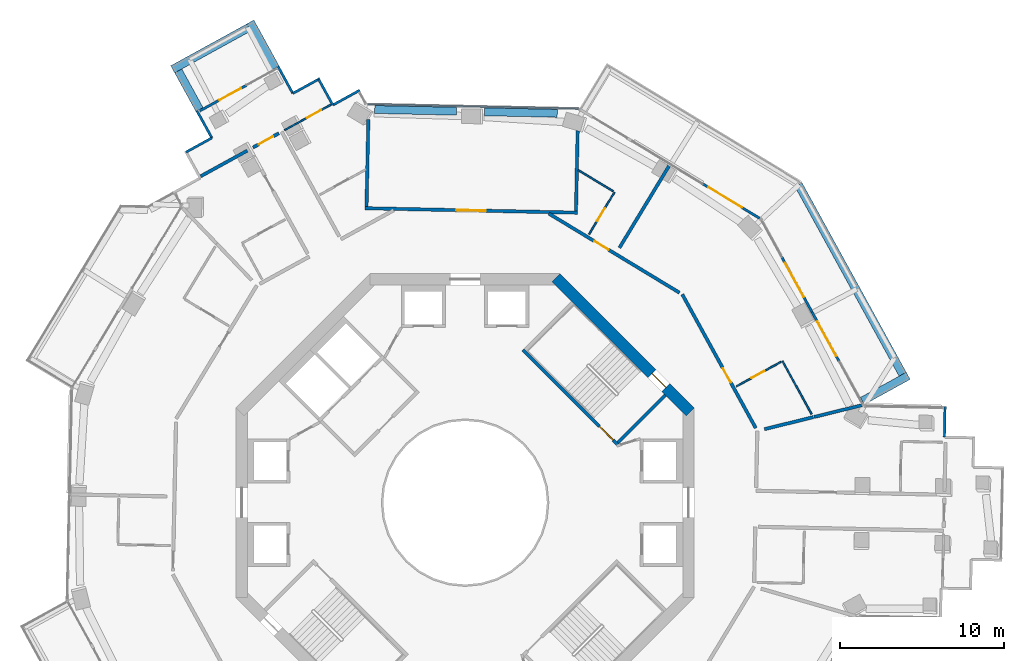
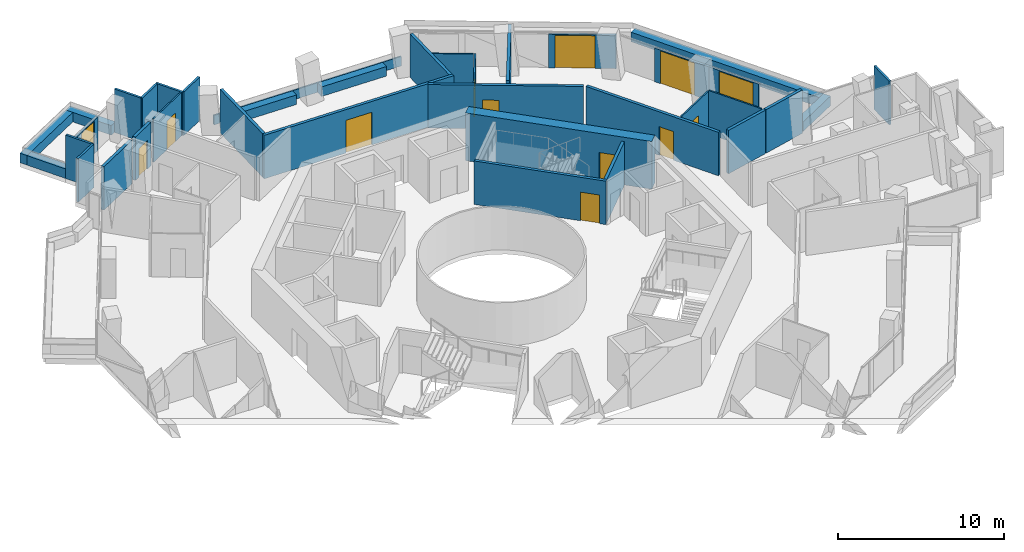
# One storey, part 18 of 22: 37 walls, 13 doors, 13 openings.
"""IFC4 building model written with IfcOpenShell, lengths in metres."""

from ifc_helpers import new_model, si_unit, direction, frame, frame_2d, origin, place, context, subcontext, project, spatial, rectangle, extrude, material, layer, layer_set, type_object, element, fill, save


model = new_model("IFC4")

# Units and contexts
model_context = context("Model", 3, precision=1e-05, world=origin(), true_north=direction((0.0, 1.0)))
body_context = subcontext(model_context, "Body", "Model", "MODEL_VIEW")
ifc_project = project(units=[si_unit("LENGTHUNIT", "METRE"), si_unit("AREAUNIT", "SQUARE_METRE"), si_unit("VOLUMEUNIT", "CUBIC_METRE"), si_unit("PLANEANGLEUNIT", "RADIAN"), si_unit("MASSUNIT", "GRAM", prefix="KILO")], contexts=[model_context])

# Site, building, storey
site_placement = place(None, origin())
site = spatial("IfcSite", under=ifc_project, at=site_placement, CompositionType="ELEMENT")
building_placement = place(site_placement, origin())
building = spatial("IfcBuilding", under=site, at=building_placement, Name="Verdalira Terraces Hotel", CompositionType="ELEMENT")
storey_placement = place(building_placement, frame((0.0, 0.0, 150.5)))
storey = spatial("IfcBuildingStorey", under=building, at=storey_placement, Name="L36", CompositionType="ELEMENT", Elevation=150.5)

# Walls
ifc_material_1 = material(Name="Concrete C40", Category="concrete")
ifc_layer_1 = layer(ifc_material_1, 0.5)
ifc_layer_set_1 = layer_set([ifc_layer_1], Name="Balcony planter trough with tree")
wall_type_1 = type_object("IfcWallType", Name="Balcony planter trough with tree", PredefinedType="SOLIDWALL", material=ifc_layer_set_1)
wall_1_placement = place(storey_placement, frame((-11.580811, 26.566162, 0.0), z_axis=(0.0, 0.0, 1.0), x_axis=(-0.48176348, 0.876301289, 0.0)))
element("IfcWall", 1, at=wall_1_placement, inside=storey, type_object=wall_type_1, Name="Balcony planter", PredefinedType="SOLIDWALL", context=body_context, shape_type="SweptSolid", body=[
    extrude(rectangle(XDim=3.199219, YDim=0.5, at=frame_2d((1.599609, 0.0))), origin(), (0.0, 0.0, 1.0), 0.699951),
])
wall_2_placement = place(storey_placement, frame((-13.220703, 29.030029, 0.0), z_axis=(0.0, 0.0, 1.0), x_axis=(-0.876306345, -0.481754284, 0.0)))
element("IfcWall", 2, at=wall_2_placement, inside=storey, type_object=wall_type_1, Name="Balcony planter", PredefinedType="SOLIDWALL", context=body_context, shape_type="SweptSolid", body=[
    extrude(rectangle(XDim=5.299805, YDim=0.5, at=frame_2d((2.649902, 0.0))), origin(), (0.0, 0.0, 1.0), 0.699951),
])
wall_3_placement = place(storey_placement, frame((-17.525635, 26.378174, 0.0), z_axis=(0.0, 0.0, 1.0), x_axis=(0.481752072, -0.876307561, 0.0)))
element("IfcWall", 3, at=wall_3_placement, inside=storey, type_object=wall_type_1, Name="Balcony planter", PredefinedType="SOLIDWALL", context=body_context, shape_type="SweptSolid", body=[
    extrude(rectangle(XDim=2.698975, YDim=0.5, at=frame_2d((1.349609, 0.0))), origin(), (0.0, 0.0, 1.0), 0.699951),
])
wall_4_placement = place(storey_placement, frame((24.269531, 6.210205, 0.0), z_axis=(0.0, 0.0, 1.0), x_axis=(0.876333505, 0.481704876, 0.0)))
element("IfcWall", 4, at=wall_4_placement, inside=storey, type_object=wall_type_1, Name="Balcony planter", PredefinedType="SOLIDWALL", context=body_context, shape_type="SweptSolid", body=[
    extrude(rectangle(XDim=3.198975, YDim=0.5, at=frame_2d((1.599609, 0.0))), origin(), (0.0, 0.0, 1.0), 0.699951),
])
wall_5_placement = place(storey_placement, frame((26.733398, 7.849854, 0.0), z_axis=(0.0, 0.0, 1.0), x_axis=(-0.481759986, 0.87630321, 0.0)))
element("IfcWall", 5, at=wall_5_placement, inside=storey, type_object=wall_type_1, Name="Balcony planter", PredefinedType="SOLIDWALL", context=body_context, shape_type="SweptSolid", body=[
    extrude(rectangle(XDim=13.223633, YDim=0.5, at=frame_2d((6.611816, 0.0))), origin(), (0.0, 0.0, 1.0), 0.699951),
])

# Wall, opening, door
ifc_material_2 = material(Name="Moisture-resistant gypsum board partition")
ifc_layer_2 = layer(ifc_material_2, 0.10009765625)
ifc_layer_set_2 = layer_set([ifc_layer_2], Name="Bathroom partition 100 mm")
wall_type_2 = type_object("IfcWallType", Name="Bathroom partition 100 mm", PredefinedType="PARTITIONING", material=ifc_layer_set_2)
wall_6_placement = place(storey_placement, frame((-8.179199, 24.326904, 0.0), z_axis=(0.0, 0.0, 1.0), x_axis=(-0.876315746, -0.481737183, 0.0)))
wall_6 = element("IfcWall", 6, at=wall_6_placement, inside=storey, type_object=wall_type_2, Name="Bathroom partition", PredefinedType="PARTITIONING", context=body_context, shape_type="SweptSolid", body=[
    extrude(rectangle(XDim=3.252197, YDim=0.100098, at=frame_2d((1.625977, 0.0))), origin(), (0.0, 0.0, 1.0), 3.189941),
])
opening_1_placement = place(wall_6_placement, frame((0.699951, 0.0, 0.0)))
opening_1 = element("IfcOpeningElement", 7, at=opening_1_placement, cuts=wall_6, Name="Opening L36-102", PredefinedType="OPENING", context=body_context, shape_type="SweptSolid", body=[
    extrude(rectangle(XDim=1.0, YDim=2.100098, at=frame_2d((0.5, 1.050049))), frame((0.0, 0.060059, 0.0), z_axis=(0.0, -1.0, 0.0), x_axis=(1.0, 0.0, 0.0)), (0.0, 0.0, 1.0), 0.120117),
])
ifc_material_3 = material(Name="Timber door", Category="wood")
door_type_1 = type_object("IfcDoorType", Name="Suite internal door 1000 x 2100", OperationType="NOTDEFINED", PredefinedType="DOOR", material=ifc_material_3)
door_1_placement = place(opening_1_placement, origin())
door_1 = element("IfcDoor", 8, at=door_1_placement, inside=storey, type_object=door_type_1, Name="Suite internal door 3601", OperationType="SINGLE_SWING_LEFT", OverallHeight=2.10009765625, OverallWidth=1.0, PredefinedType="DOOR", context=body_context, shape_type="SweptSolid", body=[
    extrude(rectangle(XDim=1.0, YDim=2.100098, at=frame_2d((0.5, 1.050049))), frame((0.0, 0.024902, 0.0), z_axis=(0.0, -1.0, 0.0), x_axis=(1.0, 0.0, 0.0)), (0.0, 0.0, 1.0), 0.050049),
])
fill(opening_1, door_1)

# Wall
wall_7_placement = place(storey_placement, frame((6.909668, 20.317627, 0.0), z_axis=(0.0, 0.0, 1.0), x_axis=(0.855354114, -0.518043762, 0.0)))
element("IfcWall", 9, at=wall_7_placement, inside=storey, type_object=wall_type_2, Name="Bathroom partition", PredefinedType="PARTITIONING", context=body_context, shape_type="SweptSolid", body=[
    extrude(rectangle(XDim=2.496338, YDim=0.100098, at=frame_2d((1.248047, 0.0))), origin(), (0.0, 0.0, 1.0), 3.189941),
])

# Wall, opening, door
wall_8_placement = place(storey_placement, frame((7.576416, 16.406494, 0.0), z_axis=(0.0, 0.0, 1.0), x_axis=(0.518045593, 0.855353005, 0.0)))
wall_8 = element("IfcWall", 10, at=wall_8_placement, inside=storey, type_object=wall_type_2, Name="Bathroom partition", PredefinedType="PARTITIONING", context=body_context, shape_type="SweptSolid", body=[
    extrude(rectangle(XDim=3.0, YDim=0.100098, at=frame_2d((1.5, 0.0))), origin(), (0.0, 0.0, 1.0), 3.189941),
])
opening_2_placement = place(wall_8_placement, frame((0.949951, 0.0, 0.0)))
opening_2 = element("IfcOpeningElement", 11, at=opening_2_placement, cuts=wall_8, Name="Opening L36-130", PredefinedType="OPENING", context=body_context, shape_type="SweptSolid", body=[
    extrude(rectangle(XDim=0.899902, YDim=2.100098, at=frame_2d((0.449951, 1.050049))), frame((0.0, 0.060059, 0.0), z_axis=(0.0, -1.0, 0.0), x_axis=(1.0, 0.0, 0.0)), (0.0, 0.0, 1.0), 0.120117),
])
ifc_material_4 = material(Name="Timber door", Category="wood")
door_type_2 = type_object("IfcDoorType", Name="Bathroom door 900 x 2100", OperationType="NOTDEFINED", PredefinedType="DOOR", material=ifc_material_4)
door_2_placement = place(opening_2_placement, origin())
door_2 = element("IfcDoor", 12, at=door_2_placement, inside=storey, type_object=door_type_2, Name="Bathroom door 3611", OperationType="SINGLE_SWING_RIGHT", OverallHeight=2.10009765625, OverallWidth=0.89990234375, PredefinedType="DOOR", context=body_context, shape_type="SweptSolid", body=[
    extrude(rectangle(XDim=0.899902, YDim=2.100098, at=frame_2d((0.449951, 1.050049))), frame((0.0, 0.024902, 0.0), z_axis=(0.0, -1.0, 0.0), x_axis=(1.0, 0.0, 0.0)), (0.0, 0.0, 1.0), 0.050049),
])
fill(opening_2, door_2)

wall_9_placement = place(storey_placement, frame((19.300537, 8.604004, 0.0), z_axis=(0.0, 0.0, 1.0), x_axis=(-0.87631067, -0.481746416, 0.0)))
wall_9 = element("IfcWall", 13, at=wall_9_placement, inside=storey, type_object=wall_type_2, Name="Bathroom partition", PredefinedType="PARTITIONING", context=body_context, shape_type="SweptSolid", body=[
    extrude(rectangle(XDim=3.100098, YDim=0.100098, at=frame_2d((1.550049, 0.0))), origin(), (0.0, 0.0, 1.0), 3.189941),
])
opening_3_placement = place(wall_9_placement, frame((1.149902, 0.0, 0.0)))
opening_3 = element("IfcOpeningElement", 14, at=opening_3_placement, cuts=wall_9, Name="Opening L36-128", PredefinedType="OPENING", context=body_context, shape_type="SweptSolid", body=[
    extrude(rectangle(XDim=0.899902, YDim=2.100098, at=frame_2d((0.449951, 1.050049))), frame((0.0, 0.060059, 0.0), z_axis=(0.0, -1.0, 0.0), x_axis=(1.0, 0.0, 0.0)), (0.0, 0.0, 1.0), 0.120117),
])
door_3_placement = place(opening_3_placement, origin())
door_3 = element("IfcDoor", 15, at=door_3_placement, inside=storey, type_object=door_type_2, Name="Bathroom door 3610", OperationType="SINGLE_SWING_LEFT", OverallHeight=2.10009765625, OverallWidth=0.89990234375, PredefinedType="DOOR", context=body_context, shape_type="SweptSolid", body=[
    extrude(rectangle(XDim=0.899902, YDim=2.100098, at=frame_2d((0.449951, 1.050049))), frame((0.0, 0.024902, 0.0), z_axis=(0.0, -1.0, 0.0), x_axis=(1.0, 0.0, 0.0)), (0.0, 0.0, 1.0), 0.050049),
])
fill(opening_3, door_3)

# Wall
wall_10_placement = place(storey_placement, frame((19.388184, 8.652344, 0.0), z_axis=(0.0, 0.0, 1.0), x_axis=(0.481754276, -0.876306349, 0.0)))
element("IfcWall", 16, at=wall_10_placement, inside=storey, type_object=wall_type_2, Name="Bathroom partition", PredefinedType="PARTITIONING", context=body_context, shape_type="SweptSolid", body=[
    extrude(rectangle(XDim=3.704102, YDim=0.100098, at=frame_2d((1.852051, 0.0))), origin(), (0.0, 0.0, 1.0), 3.189941),
])

# Wall, opening, door
ifc_material_5 = material(Name="Concrete C50", Category="concrete")
ifc_layer_3 = layer(ifc_material_5, 0.199951171875)
ifc_layer_set_3 = layer_set([ifc_layer_3], Name="Core RC wall 200 C50")
wall_type_3 = type_object("IfcWallType", Name="Core RC wall 200 C50", PredefinedType="SOLIDWALL", material=ifc_layer_set_3)
wall_11_placement = place(storey_placement, frame((3.5354, 9.33374, 0.0), z_axis=(0.0, 0.0, 1.0), x_axis=(0.707106781, -0.707106781, 0.0)))
wall_11 = element("IfcWall", 17, at=wall_11_placement, inside=storey, type_object=wall_type_3, Name="L36 stair ST1 front wall", PredefinedType="SOLIDWALL", context=body_context, shape_type="SweptSolid", body=[
    extrude(rectangle(XDim=8.200195, YDim=0.199951, at=frame_2d((4.100098, 0.0))), origin(), (0.0, 0.0, 1.0), 3.189941),
])
opening_4_placement = place(wall_11_placement, frame((6.600098, 0.0, 0.0)))
opening_4 = element("IfcOpeningElement", 18, at=opening_4_placement, cuts=wall_11, Name="Opening L36-809", PredefinedType="OPENING", context=body_context, shape_type="SweptSolid", body=[
    extrude(rectangle(XDim=1.199951, YDim=2.100098, at=frame_2d((0.600098, 1.050049))), frame((0.0, 0.109863, 0.0), z_axis=(0.0, -1.0, 0.0), x_axis=(1.0, 0.0, 0.0)), (0.0, 0.0, 1.0), 0.219971),
])
ifc_material_6 = material(Name="Steel fire door", Category="steel")
door_type_3 = type_object("IfcDoorType", Name="Stair door 1200 x 2100", OperationType="NOTDEFINED", PredefinedType="DOOR", material=ifc_material_6)
door_4_placement = place(opening_4_placement, origin())
door_4 = element("IfcDoor", 19, at=door_4_placement, inside=storey, type_object=door_type_3, Name="Stair door ST1 L36", OperationType="SINGLE_SWING_RIGHT", OverallHeight=2.10009765625, OverallWidth=1.199951171875, PredefinedType="DOOR", context=body_context, shape_type="SweptSolid", body=[
    extrude(rectangle(XDim=1.199951, YDim=2.100098, at=frame_2d((0.600098, 1.050049))), frame((0.0, 0.024902, 0.0), z_axis=(0.0, -1.0, 0.0), x_axis=(1.0, 0.0, 0.0)), (0.0, 0.0, 1.0), 0.050049),
])
fill(opening_4, door_4)

# Wall
wall_12_placement = place(storey_placement, frame((9.33374, 3.677002, 0.0), z_axis=(0.0, 0.0, 1.0), x_axis=(0.707106781, 0.707106781, 0.0)))
element("IfcWall", 20, at=wall_12_placement, inside=storey, type_object=wall_type_3, Name="L36 stair ST1 end wall 1", PredefinedType="SOLIDWALL", context=body_context, shape_type="SweptSolid", body=[
    extrude(rectangle(XDim=4.100098, YDim=0.199951, at=frame_2d((2.050049, 0.0))), origin(), (0.0, 0.0, 1.0), 3.189941),
])

# Wall, opening, door
ifc_material_7 = material(Name="Concrete C60", Category="concrete")
ifc_layer_4 = layer(ifc_material_7, 0.699951171875)
ifc_layer_set_4 = layer_set([ifc_layer_4], Name="Core wall 700 C60")
wall_type_4 = type_object("IfcWallType", Name="Core wall 700 C60", PredefinedType="SHEAR", material=ifc_layer_set_4)
wall_13_placement = place(storey_placement, frame((13.752441, 5.551514, 0.0), z_axis=(0.0, 0.0, 1.0), x_axis=(-0.707106781, 0.707106781, 0.0)))
wall_13 = element("IfcWall", 21, at=wall_13_placement, inside=storey, type_object=wall_type_4, Name="Core wall CW-L36-2", PredefinedType="SHEAR", context=body_context, shape_type="SweptSolid", body=[
    extrude(rectangle(XDim=11.5979, YDim=0.699951, at=frame_2d((5.798828, 0.0))), origin(), (0.0, 0.0, 1.0), 3.5),
])
opening_5_placement = place(wall_13_placement, frame((2.099121, 0.0, 0.0)))
opening_5 = element("IfcOpeningElement", 22, at=opening_5_placement, cuts=wall_13, Name="Opening L36-816", PredefinedType="OPENING", context=body_context, shape_type="SweptSolid", body=[
    extrude(rectangle(XDim=1.199951, YDim=2.100098, at=frame_2d((0.600098, 1.050049))), frame((0.0, 0.359863, 0.0), z_axis=(0.0, -1.0, 0.0), x_axis=(1.0, 0.0, 0.0)), (0.0, 0.0, 1.0), 0.719971),
])
door_5_placement = place(opening_5_placement, origin())
door_5 = element("IfcDoor", 23, at=door_5_placement, inside=storey, type_object=door_type_3, Name="Stair exit door ST1 L36", OperationType="SINGLE_SWING_LEFT", OverallHeight=2.10009765625, OverallWidth=1.199951171875, PredefinedType="DOOR", context=body_context, shape_type="SweptSolid", body=[
    extrude(rectangle(XDim=1.199951, YDim=2.100098, at=frame_2d((0.600098, 1.050049))), frame((0.0, 0.024902, 0.0), z_axis=(0.0, -1.0, 0.0), x_axis=(1.0, 0.0, 0.0)), (0.0, 0.0, 1.0), 0.050049),
])
fill(opening_5, door_5)

# Walls
ifc_material_8 = material(Name="Fire-rated gypsum board wall")
ifc_layer_5 = layer(ifc_material_8, 0.199951171875)
ifc_layer_set_5 = layer_set([ifc_layer_5], Name="Demising wall 200 mm")
wall_type_5 = type_object("IfcWallType", Name="Demising wall 200 mm", PredefinedType="SOLIDWALL", material=ifc_layer_set_5)
wall_14_placement = place(storey_placement, frame((-13.305664, 21.508789, 0.0), z_axis=(0.0, 0.0, 1.0), x_axis=(-0.876315746, -0.481737183, 0.0)))
element("IfcWall", 24, at=wall_14_placement, inside=storey, type_object=wall_type_5, Name="Demising wall", PredefinedType="SOLIDWALL", context=body_context, shape_type="SweptSolid", body=[
    extrude(rectangle(XDim=3.252197, YDim=0.199951, at=frame_2d((1.625977, 0.0))), origin(), (0.0, 0.0, 1.0), 3.189941),
])
wall_15_placement = place(storey_placement, frame((9.430908, 15.57251, 0.0), z_axis=(0.0, 0.0, 1.0), x_axis=(0.518049609, 0.855350573, 0.0)))
element("IfcWall", 25, at=wall_15_placement, inside=storey, type_object=wall_type_5, Name="Demising wall", PredefinedType="SOLIDWALL", context=body_context, shape_type="SweptSolid", body=[
    extrude(rectangle(XDim=5.902588, YDim=0.199951, at=frame_2d((2.951172, 0.0))), origin(), (0.0, 0.0, 1.0), 3.189941),
])
wall_16_placement = place(storey_placement, frame((18.28833, 4.492188, 0.0), z_axis=(0.0, 0.0, 1.0), x_axis=(0.971138358, 0.238516853, 0.0)))
element("IfcWall", 26, at=wall_16_placement, inside=storey, type_object=wall_type_5, Name="Demising wall", PredefinedType="SOLIDWALL", context=body_context, shape_type="SweptSolid", body=[
    extrude(rectangle(XDim=3.074707, YDim=0.199951, at=frame_2d((1.537354, 0.0))), origin(), (0.0, 0.0, 1.0), 3.189941),
])
wall_17_placement = place(storey_placement, frame((21.319092, 5.236328, 0.0), z_axis=(0.0, 0.0, 1.0), x_axis=(0.97111698, 0.23860388, 0.0)))
element("IfcWall", 27, at=wall_17_placement, inside=storey, type_object=wall_type_5, Name="Demising wall", PredefinedType="SOLIDWALL", context=body_context, shape_type="SweptSolid", body=[
    extrude(rectangle(XDim=3.01123, YDim=0.199951, at=frame_2d((1.505615, 0.0))), origin(), (0.0, 0.0, 1.0), 3.189941),
])

# Wall, opening, door
ifc_material_9 = material(Name="Fire-rated gypsum board wall")
ifc_layer_6 = layer(ifc_material_9, 0.199951171875)
ifc_layer_set_6 = layer_set([ifc_layer_6], Name="Guest corridor wall 200 mm")
wall_type_6 = type_object("IfcWallType", Name="Guest corridor wall 200 mm", PredefinedType="SOLIDWALL", material=ifc_layer_set_6)
wall_18_placement = place(storey_placement, frame((-12.95874, 21.699463, 0.0), z_axis=(0.0, 0.0, 1.0), x_axis=(0.876287333, 0.481788865, 0.0)))
wall_18 = element("IfcWall", 28, at=wall_18_placement, inside=storey, type_object=wall_type_6, Name="Guest corridor wall", PredefinedType="SOLIDWALL", context=body_context, shape_type="SweptSolid", body=[
    extrude(rectangle(XDim=1.803955, YDim=0.199951, at=frame_2d((0.901855, 0.0))), origin(), (0.0, 0.0, 1.0), 3.189941),
])
opening_6_placement = place(wall_18_placement, frame((0.399902, 0.0, 0.0)))
opening_6 = element("IfcOpeningElement", 29, at=opening_6_placement, cuts=wall_18, Name="Opening L36-101", PredefinedType="OPENING", context=body_context, shape_type="SweptSolid", body=[
    extrude(rectangle(XDim=1.0, YDim=2.100098, at=frame_2d((0.5, 1.050049))), frame((0.0, 0.109863, 0.0), z_axis=(0.0, -1.0, 0.0), x_axis=(1.0, 0.0, 0.0)), (0.0, 0.0, 1.0), 0.219971),
])
ifc_material_10 = material(Name="Timber fire door", Category="wood")
door_type_4 = type_object("IfcDoorType", Name="Guest entry door 1000 x 2100", OperationType="NOTDEFINED", PredefinedType="DOOR", material=ifc_material_10)
door_6_placement = place(opening_6_placement, origin())
door_6 = element("IfcDoor", 30, at=door_6_placement, inside=storey, type_object=door_type_4, Name="Guest entry door 3601", OperationType="SINGLE_SWING_LEFT", OverallHeight=2.10009765625, OverallWidth=1.0, PredefinedType="DOOR", context=body_context, shape_type="SweptSolid", body=[
    extrude(rectangle(XDim=1.0, YDim=2.100098, at=frame_2d((0.5, 1.050049))), frame((0.0, 0.024902, 0.0), z_axis=(0.0, -1.0, 0.0), x_axis=(1.0, 0.0, 0.0)), (0.0, 0.0, 1.0), 0.050049),
])
fill(opening_6, door_6)

wall_19_placement = place(storey_placement, frame((5.112061, 17.665039, 0.0), z_axis=(0.0, 0.0, 1.0), x_axis=(0.855374458, -0.51801017, 0.0)))
wall_19 = element("IfcWall", 31, at=wall_19_placement, inside=storey, type_object=wall_type_6, Name="Guest corridor wall", PredefinedType="SOLIDWALL", context=body_context, shape_type="SweptSolid", body=[
    extrude(rectangle(XDim=9.336182, YDim=0.199951, at=frame_2d((4.667969, 0.0))), origin(), (0.0, 0.0, 1.0), 3.189941),
])
opening_7_placement = place(wall_19_placement, frame((3.26001, 0.0, 0.0)))
opening_7 = element("IfcOpeningElement", 32, at=opening_7_placement, cuts=wall_19, Name="Opening L36-129", PredefinedType="OPENING", context=body_context, shape_type="SweptSolid", body=[
    extrude(rectangle(XDim=1.0, YDim=2.100098, at=frame_2d((0.5, 1.050049))), frame((0.0, 0.109863, 0.0), z_axis=(0.0, -1.0, 0.0), x_axis=(1.0, 0.0, 0.0)), (0.0, 0.0, 1.0), 0.219971),
])
door_7_placement = place(opening_7_placement, origin())
door_7 = element("IfcDoor", 33, at=door_7_placement, inside=storey, type_object=door_type_4, Name="Guest entry door 3611", OperationType="SINGLE_SWING_RIGHT", OverallHeight=2.10009765625, OverallWidth=1.0, PredefinedType="DOOR", context=body_context, shape_type="SweptSolid", body=[
    extrude(rectangle(XDim=1.0, YDim=2.100098, at=frame_2d((0.5, 1.050049))), frame((0.0, 0.024902, 0.0), z_axis=(0.0, -1.0, 0.0), x_axis=(1.0, 0.0, 0.0)), (0.0, 0.0, 1.0), 0.050049),
])
fill(opening_7, door_7)

wall_20_placement = place(storey_placement, frame((13.269775, 12.724365, 0.0), z_axis=(0.0, 0.0, 1.0), x_axis=(0.481759791, -0.876303317, 0.0)))
wall_20 = element("IfcWall", 34, at=wall_20_placement, inside=storey, type_object=wall_type_6, Name="Guest corridor wall", PredefinedType="SOLIDWALL", context=body_context, shape_type="SweptSolid", body=[
    extrude(rectangle(XDim=9.315918, YDim=0.199951, at=frame_2d((4.657959, 0.0))), origin(), (0.0, 0.0, 1.0), 3.189941),
])
opening_8_placement = place(wall_20_placement, frame((5.149902, 0.0, 0.0)))
opening_8 = element("IfcOpeningElement", 35, at=opening_8_placement, cuts=wall_20, Name="Opening L36-127", PredefinedType="OPENING", context=body_context, shape_type="SweptSolid", body=[
    extrude(rectangle(XDim=1.0, YDim=2.100098, at=frame_2d((0.5, 1.050049))), frame((0.0, 0.109863, 0.0), z_axis=(0.0, -1.0, 0.0), x_axis=(1.0, 0.0, 0.0)), (0.0, 0.0, 1.0), 0.219971),
])
door_8_placement = place(opening_8_placement, origin())
door_8 = element("IfcDoor", 36, at=door_8_placement, inside=storey, type_object=door_type_4, Name="Guest entry door 3610", OperationType="SINGLE_SWING_LEFT", OverallHeight=2.10009765625, OverallWidth=1.0, PredefinedType="DOOR", context=body_context, shape_type="SweptSolid", body=[
    extrude(rectangle(XDim=1.0, YDim=2.100098, at=frame_2d((0.5, 1.050049))), frame((0.0, 0.024902, 0.0), z_axis=(0.0, -1.0, 0.0), x_axis=(1.0, 0.0, 0.0)), (0.0, 0.0, 1.0), 0.050049),
])
fill(opening_8, door_8)

ifc_material_11 = material(Name="Terracotta cladding", Category="masonry")
ifc_layer_7 = layer(ifc_material_11, 0.199951171875)
ifc_layer_set_7 = layer_set([ifc_layer_7], Name="Loggia back wall 200")
wall_type_7 = type_object("IfcWallType", Name="Loggia back wall 200", PredefinedType="SOLIDWALL", material=ifc_layer_set_7)
wall_21_placement = place(storey_placement, frame((-6.124512, 17.990479, 0.0), z_axis=(0.0, 0.0, 1.0), x_axis=(0.999780737, -0.020939881, 0.0)))
wall_21 = element("IfcWall", 37, at=wall_21_placement, inside=storey, type_object=wall_type_7, Name="Loggia back wall", PredefinedType="SOLIDWALL", context=body_context, shape_type="SweptSolid", body=[
    extrude(rectangle(XDim=13.0, YDim=0.199951, at=frame_2d((6.5, 0.0))), origin(), (0.0, 0.0, 1.0), 3.189941),
])
opening_9_placement = place(wall_21_placement, frame((5.600098, 0.0, 0.0)))
opening_9 = element("IfcOpeningElement", 38, at=opening_9_placement, cuts=wall_21, Name="Opening L36-L01", PredefinedType="OPENING", context=body_context, shape_type="SweptSolid", body=[
    extrude(rectangle(XDim=1.800049, YDim=2.399902, at=frame_2d((0.899902, 1.199951))), frame((0.0, 0.109863, 0.0), z_axis=(0.0, -1.0, 0.0), x_axis=(1.0, 0.0, 0.0)), (0.0, 0.0, 1.0), 0.219971),
])
ifc_material_12 = material(Name="Clear glass", Category="glass")
door_type_5 = type_object("IfcDoorType", Name="Garden double door 1800x2400", OperationType="NOTDEFINED", PredefinedType="DOOR", material=ifc_material_12)
door_9_placement = place(opening_9_placement, origin())
door_9 = element("IfcDoor", 39, at=door_9_placement, inside=storey, type_object=door_type_5, Name="Loggia double door", OperationType="DOUBLE_DOOR_SINGLE_SWING", OverallHeight=2.39990234375, OverallWidth=1.800048828125, PredefinedType="DOOR", context=body_context, shape_type="SweptSolid", body=[
    extrude(rectangle(XDim=1.800049, YDim=2.399902, at=frame_2d((0.899902, 1.199951))), frame((0.0, 0.024902, 0.0), z_axis=(0.0, -1.0, 0.0), x_axis=(1.0, 0.0, 0.0)), (0.0, 0.0, 1.0), 0.050049),
])
fill(opening_9, door_9)

# Walls
wall_22_placement = place(storey_placement, frame((6.877441, 22.723633, 0.0), z_axis=(0.0, 0.0, 1.0), x_axis=(-0.020957356, -0.99978037, 0.0)))
element("IfcWall", 40, at=wall_22_placement, inside=storey, type_object=wall_type_7, Name="Loggia side wall", PredefinedType="SOLIDWALL", context=body_context, shape_type="SweptSolid", body=[
    extrude(rectangle(XDim=4.904297, YDim=0.199951, at=frame_2d((2.452148, 0.0))), origin(), (0.0, 0.0, 1.0), 3.189941),
])
wall_23_placement = place(storey_placement, frame((-5.911133, 23.4104, 0.0), z_axis=(0.0, 0.0, 1.0), x_axis=(-0.020913816, -0.999781282, 0.0)))
element("IfcWall", 41, at=wall_23_placement, inside=storey, type_object=wall_type_7, Name="Loggia side wall", PredefinedType="SOLIDWALL", context=body_context, shape_type="SweptSolid", body=[
    extrude(rectangle(XDim=5.323242, YDim=0.199951, at=frame_2d((2.661621, 0.0))), origin(), (0.0, 0.0, 1.0), 3.189941),
])
ifc_material_13 = material(Name="Concrete C40", Category="concrete")
ifc_layer_8 = layer(ifc_material_13, 0.5)
ifc_layer_set_8 = layer_set([ifc_layer_8], Name="Loggia planter trough with tree")
wall_type_8 = type_object("IfcWallType", Name="Loggia planter trough with tree", PredefinedType="SOLIDWALL", material=ifc_layer_set_8)
wall_24_placement = place(storey_placement, frame((5.631592, 23.795654, 0.0), z_axis=(0.0, 0.0, 1.0), x_axis=(-0.999781056, 0.020924631, 0.0)))
element("IfcWall", 42, at=wall_24_placement, inside=storey, type_object=wall_type_8, Name="Loggia planter", PredefinedType="SOLIDWALL", context=body_context, shape_type="SweptSolid", body=[
    extrude(rectangle(XDim=4.457031, YDim=0.5, at=frame_2d((2.228516, 0.0))), origin(), (0.0, 0.0, 1.0), 0.699951),
])
wall_25_placement = place(storey_placement, frame((-0.534668, 23.924805, 0.0), z_axis=(0.0, 0.0, 1.0), x_axis=(-0.999780544, 0.020949088, 0.0)))
element("IfcWall", 43, at=wall_25_placement, inside=storey, type_object=wall_type_8, Name="Loggia planter", PredefinedType="SOLIDWALL", context=body_context, shape_type="SweptSolid", body=[
    extrude(rectangle(XDim=4.987793, YDim=0.5, at=frame_2d((2.493896, 0.0))), origin(), (0.0, 0.0, 1.0), 0.699951),
])
ifc_material_14 = material(Name="Concrete C40", Category="concrete")
ifc_layer_9 = layer(ifc_material_14, 0.10009765625)
ifc_layer_set_9 = layer_set([ifc_layer_9], Name="Loggia upstand 100")
wall_type_9 = type_object("IfcWallType", Name="Loggia upstand 100", PredefinedType="SOLIDWALL", material=ifc_layer_set_9)
wall_26_placement = place(storey_placement, frame((6.925537, 24.068604, 0.0), z_axis=(0.0, 0.0, 1.0), x_axis=(-0.999780849, 0.020934534, 0.0)))
element("IfcWall", 44, at=wall_26_placement, inside=storey, type_object=wall_type_9, Name="Loggia upstand", PredefinedType="SOLIDWALL", context=body_context, shape_type="SweptSolid", body=[
    extrude(rectangle(XDim=12.840088, YDim=0.100098, at=frame_2d((6.419922, 0.0))), origin(), (0.0, 0.0, 1.0), 0.699951),
])
ifc_material_15 = material(Name="Terracotta cladding", Category="masonry")
ifc_layer_10 = layer(ifc_material_15, 0.14990234375)
ifc_layer_set_10 = layer_set([ifc_layer_10], Name="Terracotta clad wall 150")
wall_type_10 = type_object("IfcWallType", Name="Terracotta clad wall 150", PredefinedType="SOLIDWALL", material=ifc_layer_set_10)
wall_27_placement = place(storey_placement, frame((-6.436279, 25.199707, 0.0), z_axis=(0.0, 0.0, 1.0), x_axis=(-0.876298369, -0.481768791, 0.0)))
element("IfcWall", 45, at=wall_27_placement, inside=storey, type_object=wall_type_10, Name="Terracotta cladding wall", PredefinedType="SOLIDWALL", context=body_context, shape_type="SweptSolid", body=[
    extrude(rectangle(XDim=1.875, YDim=0.149902, at=frame_2d((0.9375, 0.0))), origin(), (0.0, 0.0, 1.0), 3.189941),
])
wall_28_placement = place(storey_placement, frame((-8.079346, 24.296387, 0.0), z_axis=(0.0, 0.0, 1.0), x_axis=(-0.481653178, 0.876361921, 0.0)))
element("IfcWall", 46, at=wall_28_placement, inside=storey, type_object=wall_type_10, Name="Terracotta cladding wall", PredefinedType="SOLIDWALL", context=body_context, shape_type="SweptSolid", body=[
    extrude(rectangle(XDim=1.800049, YDim=0.149902, at=frame_2d((0.899902, 0.0))), origin(), (0.0, 0.0, 1.0), 3.189941),
])
for number, where, z_axis, x_axis, name in (
    (47, (-8.880615, 25.909912, 0.0), (0.0, 0.0, 1.0), (-0.876298369, -0.481768791, 0.0), "Terracotta cladding wall"),
    (48, (-10.523682, 25.006592, 0.0), (0.0, 0.0, 1.0), (-0.481768791, 0.876298369, 0.0), "Terracotta cladding wall"),
    (49, (-16.378174, 23.927734, 0.0), (0.0, 0.0, 1.0), (0.481768791, -0.876298369, 0.0), "Terracotta cladding wall"),
):
    element("IfcWall", number, at=place(storey_placement, frame(where, z_axis=z_axis, x_axis=x_axis)), inside=storey, type_object=wall_type_10, Name=name, PredefinedType="SOLIDWALL", context=body_context, shape_type="SweptSolid", body=[
        extrude(rectangle(XDim=1.875, YDim=0.149902, at=frame_2d((0.9375, 0.0))), origin(), (0.0, 0.0, 1.0), 3.189941),
    ])
wall_29_placement = place(storey_placement, frame((-15.474854, 22.284668, 0.0), z_axis=(0.0, 0.0, 1.0), x_axis=(-0.876304665, -0.481757339, 0.0)))
element("IfcWall", 50, at=wall_29_placement, inside=storey, type_object=wall_type_10, Name="Terracotta cladding wall", PredefinedType="SOLIDWALL", context=body_context, shape_type="SweptSolid", body=[
    extrude(rectangle(XDim=1.800049, YDim=0.149902, at=frame_2d((0.899902, 0.0))), origin(), (0.0, 0.0, 1.0), 3.189941),
])
wall_30_placement = place(storey_placement, frame((29.286377, 4.012451, 0.0), z_axis=(0.0, 0.0, 1.0), x_axis=(0.020831525, 0.999783, 0.0)))
element("IfcWall", 51, at=wall_30_placement, inside=storey, type_object=wall_type_10, Name="Terracotta cladding wall", PredefinedType="SOLIDWALL", context=body_context, shape_type="SweptSolid", body=[
    extrude(rectangle(XDim=1.875244, YDim=0.149902, at=frame_2d((0.9375, 0.0))), origin(), (0.0, 0.0, 1.0), 3.189941),
])

# Wall, opening, door
ifc_material_16 = material(Name="Terracotta cladding", Category="masonry")
ifc_layer_11 = layer(ifc_material_16, 0.14990234375)
ifc_layer_set_11 = layer_set([ifc_layer_11], Name="Terracotta door pier 150")
wall_type_11 = type_object("IfcWallType", Name="Terracotta door pier 150", PredefinedType="SOLIDWALL", material=ifc_layer_set_11)
wall_31_placement = place(storey_placement, frame((-13.349365, 25.507324, 0.0), z_axis=(0.0, 0.0, 1.0), x_axis=(-0.876313918, -0.481740509, 0.0)))
wall_31 = element("IfcWall", 52, at=wall_31_placement, inside=storey, type_object=wall_type_11, Name="Terracotta door pier", PredefinedType="SOLIDWALL", context=body_context, shape_type="SweptSolid", body=[
    extrude(rectangle(XDim=3.260254, YDim=0.149902, at=frame_2d((1.630127, 0.0))), origin(), (0.0, 0.0, 1.0), 2.475098),
])
opening_10_placement = place(wall_31_placement, frame((0.399902, 0.0, 0.0)))
opening_10 = element("IfcOpeningElement", 53, at=opening_10_placement, cuts=wall_31, Name="Opening L36-B01", PredefinedType="OPENING", context=body_context, shape_type="SweptSolid", body=[
    extrude(rectangle(XDim=1.5, YDim=2.399902, at=frame_2d((0.75, 1.199951))), frame((0.0, 0.084961, 0.0), z_axis=(0.0, -1.0, 0.0), x_axis=(1.0, 0.0, 0.0)), (0.0, 0.0, 1.0), 0.169922),
])
ifc_material_17 = material(Name="Clear glass", Category="glass")
door_type_6 = type_object("IfcDoorType", Name="Balcony sliding door 1500x2400", OperationType="NOTDEFINED", PredefinedType="DOOR", material=ifc_material_17)
door_10_placement = place(opening_10_placement, origin())
door_10 = element("IfcDoor", 54, at=door_10_placement, inside=storey, type_object=door_type_6, Name="Balcony sliding door", OperationType="SLIDING_TO_RIGHT", OverallHeight=2.39990234375, OverallWidth=1.5, PredefinedType="DOOR", context=body_context, shape_type="SweptSolid", body=[
    extrude(rectangle(XDim=1.5, YDim=2.399902, at=frame_2d((0.75, 1.199951))), frame((0.0, 0.024902, 0.0), z_axis=(0.0, -1.0, 0.0), x_axis=(1.0, 0.0, 0.0)), (0.0, 0.0, 1.0), 0.050049),
])
fill(opening_10, door_10)

wall_32_placement = place(storey_placement, frame((22.866211, 8.605225, 0.0), z_axis=(0.0, 0.0, 1.0), x_axis=(-0.481802779, 0.876279683, 0.0)))
wall_32 = element("IfcWall", 55, at=wall_32_placement, inside=storey, type_object=wall_type_11, Name="Terracotta door pier", PredefinedType="SOLIDWALL", context=body_context, shape_type="SweptSolid", body=[
    extrude(rectangle(XDim=3.475098, YDim=0.149902, at=frame_2d((1.737549, 0.0))), origin(), (0.0, 0.0, 1.0), 2.475098),
])
opening_11_placement = place(wall_32_placement, frame((0.399902, 0.0, 0.0)))
opening_11 = element("IfcOpeningElement", 56, at=opening_11_placement, cuts=wall_32, Name="Opening L36-B11", PredefinedType="OPENING", context=body_context, shape_type="SweptSolid", body=[
    extrude(rectangle(XDim=2.399902, YDim=2.399902, at=frame_2d((1.199951, 1.199951))), frame((0.0, 0.084961, 0.0), z_axis=(0.0, -1.0, 0.0), x_axis=(1.0, 0.0, 0.0)), (0.0, 0.0, 1.0), 0.169922),
])
ifc_material_18 = material(Name="Clear glass", Category="glass")
door_type_7 = type_object("IfcDoorType", Name="Balcony sliding door 2400x2400", OperationType="NOTDEFINED", PredefinedType="DOOR", material=ifc_material_18)
door_11_placement = place(opening_11_placement, origin())
door_11 = element("IfcDoor", 57, at=door_11_placement, inside=storey, type_object=door_type_7, Name="Balcony sliding door", OperationType="SLIDING_TO_RIGHT", OverallHeight=2.39990234375, OverallWidth=2.39990234375, PredefinedType="DOOR", context=body_context, shape_type="SweptSolid", body=[
    extrude(rectangle(XDim=2.399902, YDim=2.399902, at=frame_2d((1.199951, 1.199951))), frame((0.0, 0.024902, 0.0), z_axis=(0.0, -1.0, 0.0), x_axis=(1.0, 0.0, 0.0)), (0.0, 0.0, 1.0), 0.050049),
])
fill(opening_11, door_11)

wall_33_placement = place(storey_placement, frame((21.191895, 11.650391, 0.0), z_axis=(0.0, 0.0, 1.0), x_axis=(-0.481730588, 0.876319371, 0.0)))
wall_33 = element("IfcWall", 58, at=wall_33_placement, inside=storey, type_object=wall_type_11, Name="Terracotta door pier", PredefinedType="SOLIDWALL", context=body_context, shape_type="SweptSolid", body=[
    extrude(rectangle(XDim=3.835449, YDim=0.149902, at=frame_2d((1.917725, 0.0))), origin(), (0.0, 0.0, 1.0), 2.475098),
])
opening_12_placement = place(wall_33_placement, frame((1.0354, 0.0, 0.0)))
opening_12 = element("IfcOpeningElement", 59, at=opening_12_placement, cuts=wall_33, Name="Opening L36-B12", PredefinedType="OPENING", context=body_context, shape_type="SweptSolid", body=[
    extrude(rectangle(XDim=2.399902, YDim=2.399902, at=frame_2d((1.199951, 1.199951))), frame((0.0, 0.084961, 0.0), z_axis=(0.0, -1.0, 0.0), x_axis=(1.0, 0.0, 0.0)), (0.0, 0.0, 1.0), 0.169922),
])
door_12_placement = place(opening_12_placement, origin())
door_12 = element("IfcDoor", 60, at=door_12_placement, inside=storey, type_object=door_type_7, Name="Balcony sliding door", OperationType="SLIDING_TO_LEFT", OverallHeight=2.39990234375, OverallWidth=2.39990234375, PredefinedType="DOOR", context=body_context, shape_type="SweptSolid", body=[
    extrude(rectangle(XDim=2.399902, YDim=2.399902, at=frame_2d((1.199951, 1.199951))), frame((0.0, 0.024902, 0.0), z_axis=(0.0, -1.0, 0.0), x_axis=(1.0, 0.0, 0.0)), (0.0, 0.0, 1.0), 0.050049),
])
fill(opening_12, door_12)

wall_34_placement = place(storey_placement, frame((18.001709, 17.370361, 0.0), z_axis=(0.0, 0.0, 1.0), x_axis=(-0.855372717, 0.518013045, 0.0)))
wall_34 = element("IfcWall", 61, at=wall_34_placement, inside=storey, type_object=wall_type_11, Name="Terracotta door pier", PredefinedType="SOLIDWALL", context=body_context, shape_type="SweptSolid", body=[
    extrude(rectangle(XDim=4.067871, YDim=0.149902, at=frame_2d((2.033936, 0.0))), origin(), (0.0, 0.0, 1.0), 2.475098),
])
opening_13_placement = place(wall_34_placement, frame((1.267822, 0.0, 0.0)))
opening_13 = element("IfcOpeningElement", 62, at=opening_13_placement, cuts=wall_34, Name="Opening L36-B13", PredefinedType="OPENING", context=body_context, shape_type="SweptSolid", body=[
    extrude(rectangle(XDim=2.399902, YDim=2.399902, at=frame_2d((1.199951, 1.199951))), frame((0.0, 0.084961, 0.0), z_axis=(0.0, -1.0, 0.0), x_axis=(1.0, 0.0, 0.0)), (0.0, 0.0, 1.0), 0.169922),
])
door_13_placement = place(opening_13_placement, origin())
door_13 = element("IfcDoor", 63, at=door_13_placement, inside=storey, type_object=door_type_7, Name="Balcony sliding door", OperationType="SLIDING_TO_LEFT", OverallHeight=2.39990234375, OverallWidth=2.39990234375, PredefinedType="DOOR", context=body_context, shape_type="SweptSolid", body=[
    extrude(rectangle(XDim=2.399902, YDim=2.399902, at=frame_2d((1.199951, 1.199951))), frame((0.0, 0.024902, 0.0), z_axis=(0.0, -1.0, 0.0), x_axis=(1.0, 0.0, 0.0)), (0.0, 0.0, 1.0), 0.050049),
])
fill(opening_13, door_13)

save(model, "model.ifc")
